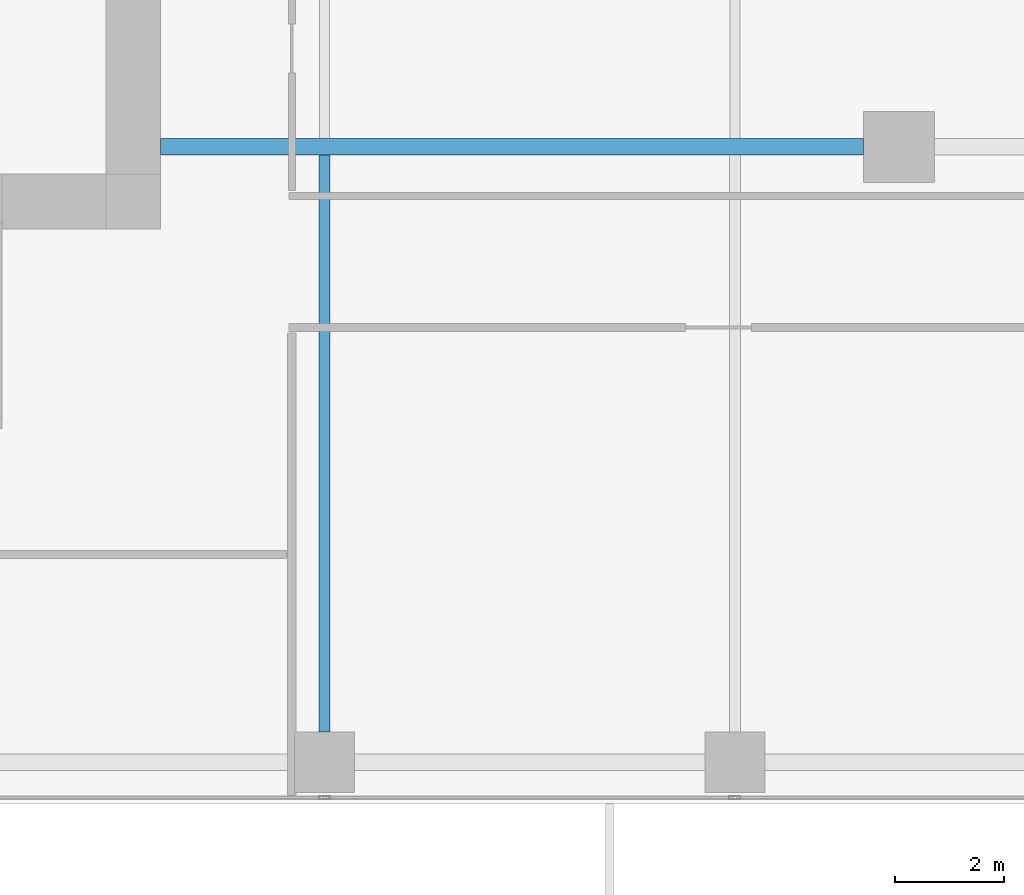
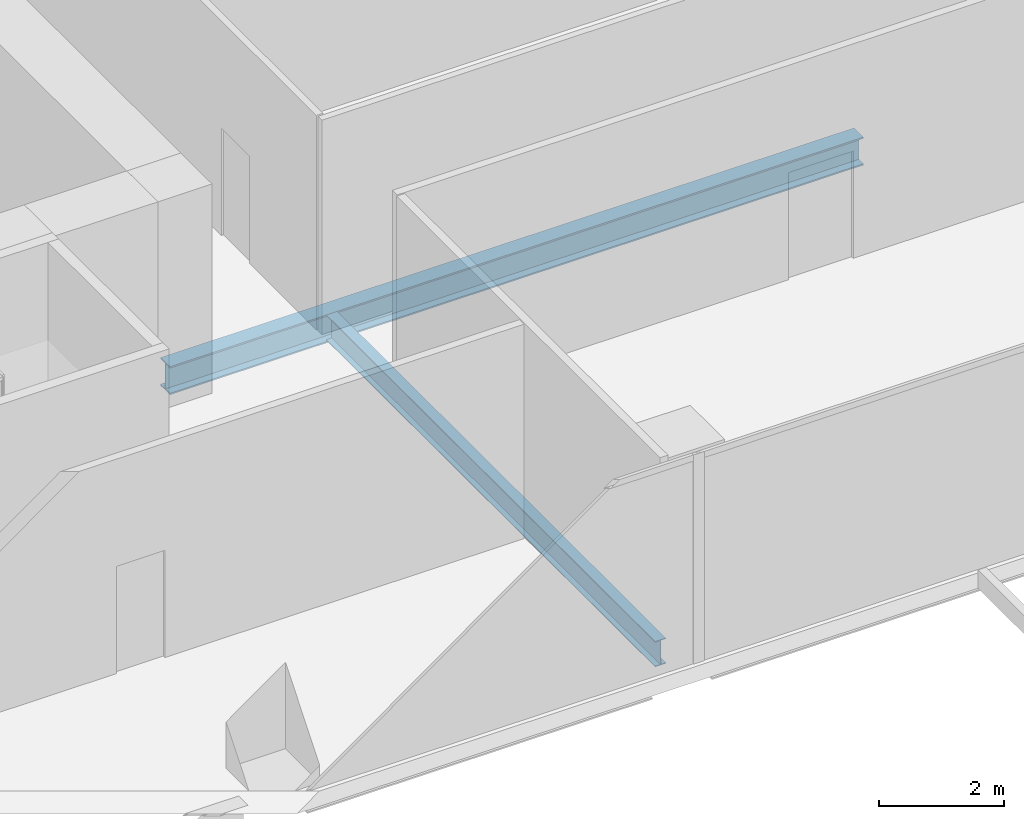
# One storey, part 6 of 34: 2 beams.
"""IFC4 building model written with IfcOpenShell, lengths in metres."""

from ifc_helpers import new_model, si_unit, direction, frame, origin, origin_2d, place, context, subcontext, project, spatial, i_section, extrude, source, transform, mapped, material, material_profile, profile_set, type_object, element, save


model = new_model("IFC4")

# Units and contexts
model_context = context("Model", 3, precision=1e-05, world=origin(), true_north=direction((0.0, 1.0)))
body_context = subcontext(model_context, "Body", "Model", "MODEL_VIEW")
ifc_project = project(units=[si_unit("LENGTHUNIT", "METRE"), si_unit("AREAUNIT", "SQUARE_METRE"), si_unit("VOLUMEUNIT", "CUBIC_METRE"), si_unit("PLANEANGLEUNIT", "RADIAN"), si_unit("MASSUNIT", "GRAM", prefix="KILO")], contexts=[model_context])

# Site, building, storey
site_placement = place(None, origin())
site = spatial("IfcSite", under=ifc_project, at=site_placement, CompositionType="ELEMENT")
building_placement = place(site_placement, origin())
building = spatial("IfcBuilding", under=site, at=building_placement, Name="Khomas Fold Tower", CompositionType="ELEMENT")
storey_placement = place(building_placement, frame((0.0, 0.0, 145.5)))
storey = spatial("IfcBuildingStorey", under=building, at=storey_placement, Name="L31", CompositionType="ELEMENT", Elevation=145.5)

# Beams
ifc_material_1 = material(Name="Steel S355", Category="steel")
ifc_material_profile_1 = material_profile(ifc_material_1, i_section(OverallWidth=0.300048828125, OverallDepth=0.550048828125, WebThickness=0.014892578125, FlangeThickness=0.029052734375, at=origin_2d()), Name="HE 550 B")
ifc_profile_set_1 = profile_set([ifc_material_profile_1], Name="Steel S355")
beam_type_1 = type_object("IfcBeamType", Name="HE 550 B beam GB4", PredefinedType="BEAM", material=ifc_profile_set_1)
shared_shape_1 = source(origin(), body_context, "Body", "SweptSolid", [
    extrude(i_section(OverallWidth=0.300048828125, OverallDepth=0.550048828125, WebThickness=0.014892578125, FlangeThickness=0.029052734375, at=origin_2d()), origin(), (0.0, 0.0, 1.0), 12.85009765625),
])
beam_1_placement = place(storey_placement, frame((24.0, 13.5, -0.574951171875), z_axis=(1.0, 0.0, 0.0), x_axis=(0.0, 1.0, 0.0)))
element("IfcBeam", 1, at=beam_1_placement, inside=storey, type_object=beam_type_1, Name="GB4", PredefinedType="BEAM", context=body_context, shape_type="MappedRepresentation", body=[
    mapped(shared_shape_1, transform((0.0, 0.0, 0.0))),
])
ifc_material_2 = material(Name="Steel S355", Category="steel")
ifc_material_profile_2 = material_profile(ifc_material_2, i_section(OverallWidth=0.199951171875, OverallDepth=0.5, WebThickness=0.01025390625, FlangeThickness=0.01611328125, at=origin_2d()), Name="IPE 500")
ifc_profile_set_2 = profile_set([ifc_material_profile_2], Name="Steel S355")
beam_type_2 = type_object("IfcBeamType", Name="IPE 500 beam JB5", PredefinedType="BEAM", material=ifc_profile_set_2)
shared_shape_2 = source(origin(), body_context, "Body", "SweptSolid", [
    extrude(i_section(OverallWidth=0.199951171875, OverallDepth=0.5, WebThickness=0.01025390625, FlangeThickness=0.01611328125, at=origin_2d()), origin(), (0.0, 0.0, 1.0), 10.550048828125),
])
beam_2_placement = place(storey_placement, frame((27.0, 2.800048828125, -0.550048828125), z_axis=(0.0, 1.0, 0.0), x_axis=(-1.0, 0.0, 0.0)))
element("IfcBeam", 2, at=beam_2_placement, inside=storey, type_object=beam_type_2, Name="JB5", PredefinedType="BEAM", context=body_context, shape_type="MappedRepresentation", body=[
    mapped(shared_shape_2, transform((0.0, 0.0, 0.0))),
])

save(model, "model.ifc")
